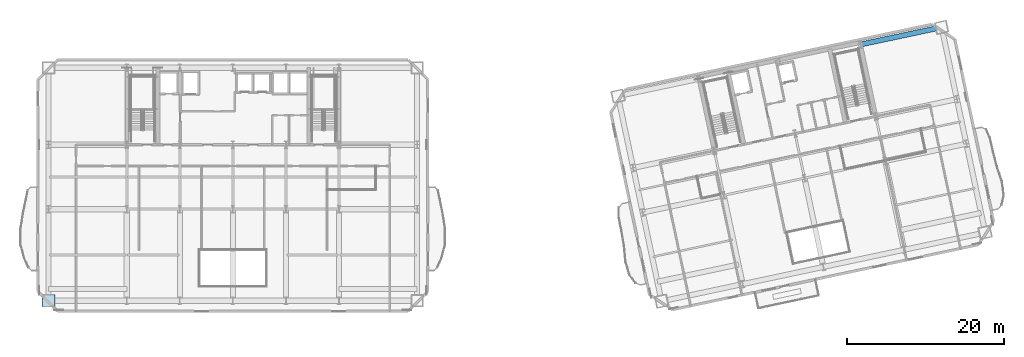
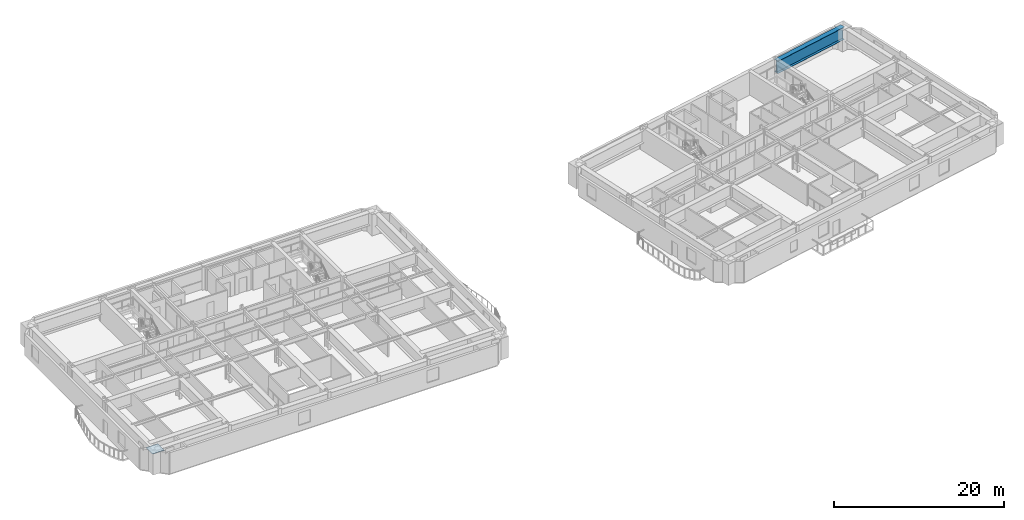
# One storey, part 4 of 16: 1 beam, 1 plate.
"""IFC4 building model written with IfcOpenShell, lengths in metres."""

from ifc_helpers import new_model, si_unit, direction, frame, origin, origin_2d, place, context, subcontext, project, spatial, rectangle, i_section, extrude, material, layer, layer_set, material_profile, profile_set, type_object, element, save


model = new_model("IFC4")

# Units and contexts
model_context = context("Model", 3, precision=1e-05, world=origin(), true_north=direction((0.0, 1.0)))
body_context = subcontext(model_context, "Body", "Model", "MODEL_VIEW")
ifc_project = project(units=[si_unit("LENGTHUNIT", "METRE"), si_unit("AREAUNIT", "SQUARE_METRE"), si_unit("VOLUMEUNIT", "CUBIC_METRE"), si_unit("PLANEANGLEUNIT", "RADIAN"), si_unit("MASSUNIT", "GRAM", prefix="KILO")], contexts=[model_context])

# Site, building, storey
site_placement = place(None, origin())
site = spatial("IfcSite", under=ifc_project, at=site_placement, CompositionType="ELEMENT")
building_placement = place(site_placement, origin())
building = spatial("IfcBuilding", under=site, at=building_placement, Name="Haevon Station Towers", CompositionType="ELEMENT")
storey_placement = place(building_placement, frame((0.0, 0.0, 90.0)))
storey = spatial("IfcBuildingStorey", under=building, at=storey_placement, Name="L23", CompositionType="ELEMENT", Elevation=90.0)

# Beam
ifc_material_1 = material(Name="Steel S460", Category="steel")
ifc_material_profile = material_profile(ifc_material_1, i_section(OverallWidth=0.64990234375, OverallDepth=1.800048828125, WebThickness=0.02490234375, FlangeThickness=0.0400390625, at=origin_2d()), Name="H-1800x650x25x40")
ifc_profile_set = profile_set([ifc_material_profile], Name="Steel S460")
beam_type = type_object("IfcBeamType", Name="BM-TG1800", PredefinedType="BEAM", material=ifc_profile_set)
beam_placement = place(storey_placement, frame((117.349365234375, 50.954345703125, 2.14990234375), z_axis=(0.978150204601, 0.207899440208, 0.0), x_axis=(-0.207899440208, 0.978150204601, 0.0)))
element("IfcBeam", 1, at=beam_placement, inside=storey, type_object=beam_type, Name="BM-T2U-L23-04-04", PredefinedType="BEAM", context=body_context, shape_type="SweptSolid", body=[
    extrude(i_section(OverallWidth=0.64990234375, OverallDepth=1.800048828125, WebThickness=0.02490234375, FlangeThickness=0.0400390625, at=origin_2d()), origin(), (0.0, 0.0, 1.0), 10.550048828125),
])

# Plate
ifc_material_2 = material(Name="PL-FLG1", Category="steel")
ifc_layer = layer(ifc_material_2, 0.044921875)
ifc_layer_set = layer_set([ifc_layer], Name="PL-FLG1")
plate_type = type_object("IfcPlateType", Name="PL-FLG1", PredefinedType="USERDEFINED", material=ifc_layer_set)
plate_placement = place(storey_placement, frame((14.050048828125, 18.35009765625, 3.050048828125), z_axis=(0.0, 0.0, 1.0), x_axis=(1.0, 0.0, 0.0)))
element("IfcPlate", 2, at=plate_placement, inside=storey, type_object=plate_type, Name="PL-CAP-T1-L23-01-01", ObjectType="FLANGE_PLATE", PredefinedType="USERDEFINED", context=body_context, shape_type="SweptSolid", body=[
    extrude(rectangle(XDim=1.639892578125, YDim=1.5400390625, at=origin_2d()), origin(), (0.0, 0.0, 1.0), 0.0400390625),
])

save(model, "model.ifc")
